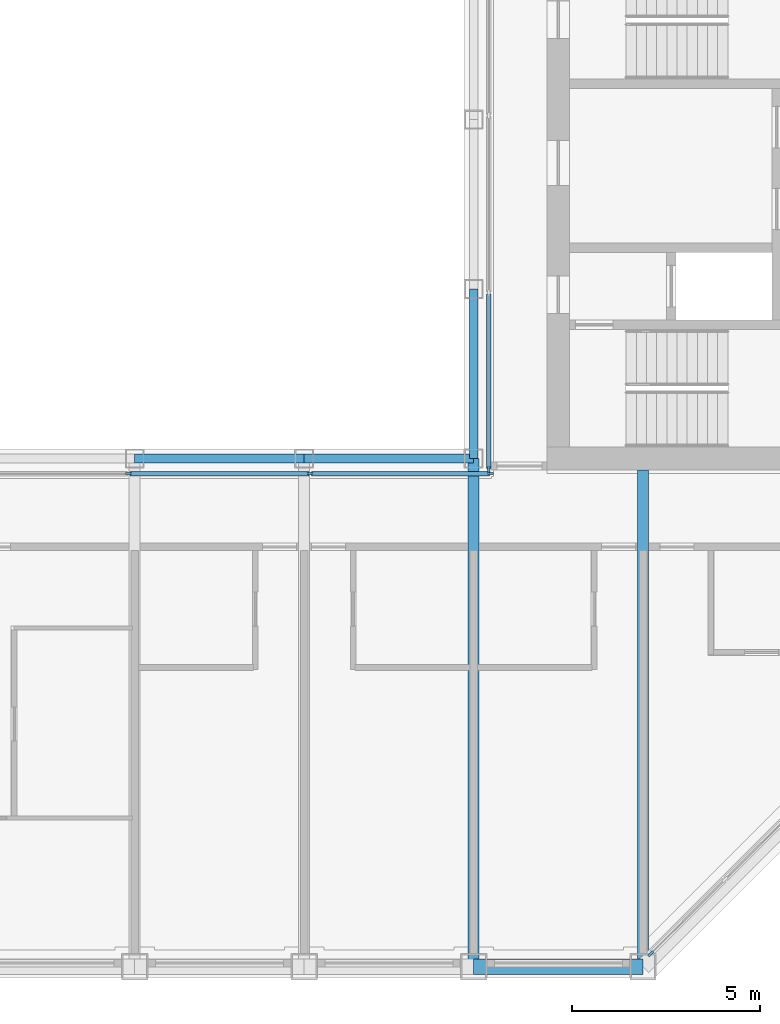
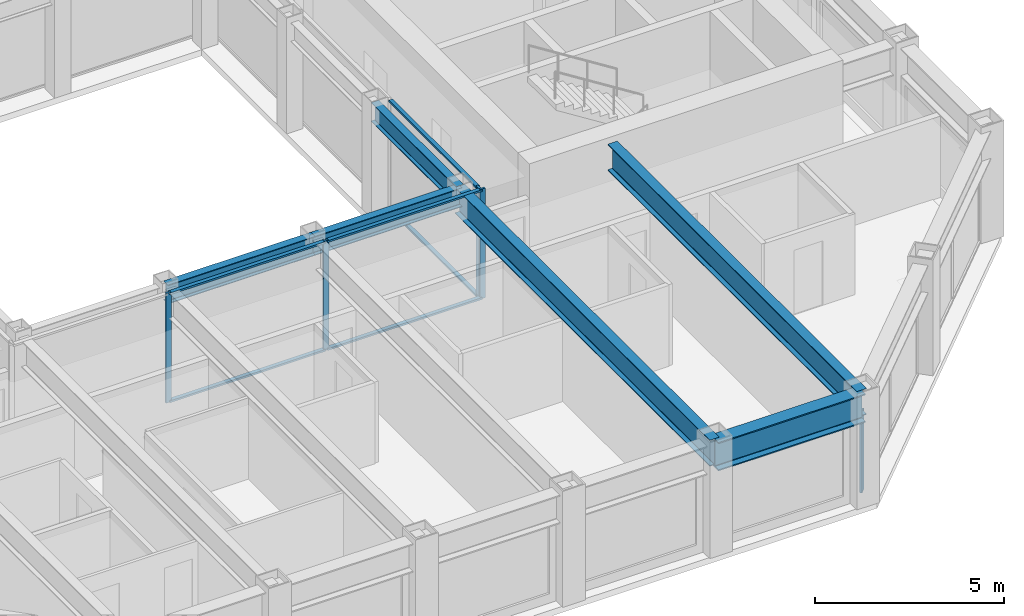
# One storey, part 3 of 18: 11 members, 6 beams, 3 elements without a shape of their own.
"""IFC4 building model written with IfcOpenShell, lengths in metres."""

from ifc_helpers import new_model, si_unit, direction, frame, origin, origin_2d, place, context, subcontext, project, spatial, rectangle, i_section, extrude, material, material_profile, profile_set, type_object, element, aggregate, save


model = new_model("IFC4")

# Units and contexts
model_context = context("Model", 3, precision=1e-05, world=origin(), true_north=direction((0.0, 1.0)))
body_context = subcontext(model_context, "Body", "Model", "MODEL_VIEW")
ifc_project = project(units=[si_unit("LENGTHUNIT", "METRE"), si_unit("AREAUNIT", "SQUARE_METRE"), si_unit("VOLUMEUNIT", "CUBIC_METRE"), si_unit("PLANEANGLEUNIT", "RADIAN"), si_unit("MASSUNIT", "GRAM", prefix="KILO")], contexts=[model_context])

# Site, building, storey
site_placement = place(None, origin())
site = spatial("IfcSite", under=ifc_project, at=site_placement, CompositionType="ELEMENT")
building_placement = place(site_placement, origin())
building = spatial("IfcBuilding", under=site, at=building_placement, Name="Msasa Ring Tower", CompositionType="ELEMENT")
storey_placement = place(building_placement, frame((0.0, 0.0, 223.300048828125)))
storey = spatial("IfcBuildingStorey", under=building, at=storey_placement, Name="L58", CompositionType="ELEMENT", Elevation=223.300048828125)

# Curtain wall, member
ifc_material_1 = material(Name="Aluminium curtain wall with clear glass", Category="aluminium")
curtain_wall_type_1 = type_object("IfcCurtainWallType", Name="CW-C CHAMFER CORNER CURTAIN WALL", PredefinedType="NOTDEFINED", material=ifc_material_1)
curtain_wall_1_placement = place(storey_placement, origin())
curtain_wall_1 = element("IfcCurtainWall", 1, at=curtain_wall_1_placement, inside=storey, type_object=curtain_wall_type_1, Name="Chamfer corner curtain wall SE L58", PredefinedType="NOTDEFINED")
ifc_material_2 = material(Name="Aluminium mullion", Category="aluminium")
ifc_material_profile_1 = material_profile(ifc_material_2, rectangle(XDim=0.06494140625, YDim=0.179931640625, at=origin_2d()), Name="AL 65x180")
ifc_profile_set_1 = profile_set([ifc_material_profile_1], Name="Aluminium mullion")
member_type_1 = type_object("IfcMemberType", Name="CW-C MULLION 65x180", PredefinedType="MULLION", material=ifc_profile_set_1)
member_1_placement = place(storey_placement, frame((11.453369140625, -19.9052734375, 0.0), z_axis=(0.0, 0.0, 1.0), x_axis=(-0.707106781187, 0.707106781187, 0.0)))
member_1 = element("IfcMember", 2, at=member_1_placement, type_object=member_type_1, Name="CW-C mullion 1", PredefinedType="MULLION", context=body_context, shape_type="SweptSolid", body=[
    extrude(rectangle(XDim=0.06494140625, YDim=0.179931640625, at=origin_2d()), origin(), (0.0, 0.0, 1.0), 2.62890625),
])
aggregate(curtain_wall_1, [member_1])

# Curtain wall, members
ifc_material_3 = material(Name="Aluminium curtain wall with clear glass", Category="aluminium")
curtain_wall_type_2 = type_object("IfcCurtainWallType", Name="CW-W LIGHT WELL CURTAIN WALL", PredefinedType="NOTDEFINED", material=ifc_material_3)
curtain_wall_2_placement = place(storey_placement, origin())
curtain_wall_2 = element("IfcCurtainWall", 3, at=curtain_wall_2_placement, inside=storey, type_object=curtain_wall_type_2, Name="Light well curtain wall S L58", PredefinedType="NOTDEFINED")
ifc_material_4 = material(Name="Aluminium mullion", Category="aluminium")
ifc_material_profile_2 = material_profile(ifc_material_4, rectangle(XDim=0.06005859375, YDim=0.159912109375, at=origin_2d()), Name="AL 60x160")
ifc_profile_set_2 = profile_set([ifc_material_profile_2], Name="Aluminium mullion")
member_type_2 = type_object("IfcMemberType", Name="CW-W MULLION 60x160", PredefinedType="MULLION", material=ifc_profile_set_2)
member_2_placement = place(storey_placement, frame((-2.409912109375, -7.14990234375, 0.0), z_axis=(0.0, 0.0, 1.0), x_axis=(0.0, 1.0, 0.0)))
member_2 = element("IfcMember", 4, at=member_2_placement, type_object=member_type_2, Name="CW-W mullion 2", PredefinedType="MULLION", context=body_context, shape_type="SweptSolid", body=[
    extrude(rectangle(XDim=0.06005859375, YDim=0.159912109375, at=origin_2d()), origin(), (0.0, 0.0, 1.0), 3.550048828125),
])
member_3_placement = place(storey_placement, frame((2.409912109375, -7.14990234375, 0.0), z_axis=(0.0, 0.0, 1.0), x_axis=(0.0, 1.0, 0.0)))
member_3 = element("IfcMember", 5, at=member_3_placement, type_object=member_type_2, Name="CW-W mullion 3", PredefinedType="MULLION", context=body_context, shape_type="SweptSolid", body=[
    extrude(rectangle(XDim=0.06005859375, YDim=0.159912109375, at=origin_2d()), origin(), (0.0, 0.0, 1.0), 3.550048828125),
])
member_4_placement = place(storey_placement, frame((7.199951171875, -7.14990234375, 0.0), z_axis=(0.0, 0.0, 1.0), x_axis=(0.0, 1.0, 0.0)))
member_4 = element("IfcMember", 6, at=member_4_placement, type_object=member_type_2, Name="CW-W mullion 4", PredefinedType="MULLION", context=body_context, shape_type="SweptSolid", body=[
    extrude(rectangle(XDim=0.06005859375, YDim=0.159912109375, at=origin_2d()), origin(), (0.0, 0.0, 1.0), 3.550048828125),
])

# Curtain wall, member
curtain_wall_3_placement = place(storey_placement, origin())
curtain_wall_3 = element("IfcCurtainWall", 7, at=curtain_wall_3_placement, inside=storey, type_object=curtain_wall_type_2, Name="Light well curtain wall E L58", PredefinedType="NOTDEFINED")
member_5_placement = place(storey_placement, frame((7.14990234375, -7.0400390625, 0.0), z_axis=(0.0, 0.0, 1.0), x_axis=(-1.0, 0.0, 0.0)))
member_5 = element("IfcMember", 8, at=member_5_placement, type_object=member_type_2, Name="CW-W mullion 1", PredefinedType="MULLION", context=body_context, shape_type="SweptSolid", body=[
    extrude(rectangle(XDim=0.06005859375, YDim=0.159912109375, at=origin_2d()), origin(), (0.0, 0.0, 1.0), 3.550048828125),
])

# Member
ifc_material_5 = material(Name="Aluminium transom", Category="aluminium")
ifc_material_profile_3 = material_profile(ifc_material_5, rectangle(XDim=0.1201171875, YDim=0.06005859375, at=origin_2d()), Name="AL 60x120")
ifc_profile_set_3 = profile_set([ifc_material_profile_3], Name="Aluminium transom")
member_type_3 = type_object("IfcMemberType", Name="CW-W TRANSOM 60x120", PredefinedType="USERDEFINED", material=ifc_profile_set_3)
member_6_placement = place(storey_placement, frame((-2.3798828125, -7.14990234375, 0.030029296875), z_axis=(1.0, 0.0, 0.0), x_axis=(0.0, 1.0, 0.0)))
member_6 = element("IfcMember", 9, at=member_6_placement, type_object=member_type_3, Name="CW-W transom 2.1", ObjectType="TRANSOM", PredefinedType="USERDEFINED", context=body_context, shape_type="SweptSolid", body=[
    extrude(rectangle(XDim=0.1201171875, YDim=0.06005859375, at=origin_2d()), origin(), (0.0, 0.0, 1.0), 4.759765625),
])

member_7_placement = place(storey_placement, frame((-2.3798828125, -7.14990234375, 3.52001953125), z_axis=(1.0, 0.0, 0.0), x_axis=(0.0, 1.0, 0.0)))
member_7 = element("IfcMember", 10, at=member_7_placement, type_object=member_type_3, Name="CW-W transom 2.2", ObjectType="TRANSOM", PredefinedType="USERDEFINED", context=body_context, shape_type="SweptSolid", body=[
    extrude(rectangle(XDim=0.1201171875, YDim=0.06005859375, at=origin_2d()), origin(), (0.0, 0.0, 1.0), 4.759765625),
])

member_8_placement = place(storey_placement, frame((2.43994140625, -7.14990234375, 0.030029296875), z_axis=(1.0, 0.0, 0.0), x_axis=(0.0, 1.0, 0.0)))
member_8 = element("IfcMember", 11, at=member_8_placement, type_object=member_type_3, Name="CW-W transom 3.1", ObjectType="TRANSOM", PredefinedType="USERDEFINED", context=body_context, shape_type="SweptSolid", body=[
    extrude(rectangle(XDim=0.1201171875, YDim=0.06005859375, at=origin_2d()), origin(), (0.0, 0.0, 1.0), 4.72998046875),
])

member_9_placement = place(storey_placement, frame((2.43994140625, -7.14990234375, 3.52001953125), z_axis=(1.0, 0.0, 0.0), x_axis=(0.0, 1.0, 0.0)))
member_9 = element("IfcMember", 12, at=member_9_placement, type_object=member_type_3, Name="CW-W transom 3.2", ObjectType="TRANSOM", PredefinedType="USERDEFINED", context=body_context, shape_type="SweptSolid", body=[
    extrude(rectangle(XDim=0.1201171875, YDim=0.06005859375, at=origin_2d()), origin(), (0.0, 0.0, 1.0), 4.72998046875),
])

aggregate(curtain_wall_2, [member_2, member_3, member_4, member_6, member_7, member_8, member_9])

member_10_placement = place(storey_placement, frame((7.14990234375, -7.010009765625, 0.030029296875), z_axis=(0.0, 1.0, 0.0), x_axis=(-1.0, 0.0, 0.0)))
member_10 = element("IfcMember", 13, at=member_10_placement, type_object=member_type_3, Name="CW-W transom 1.1", ObjectType="TRANSOM", PredefinedType="USERDEFINED", context=body_context, shape_type="SweptSolid", body=[
    extrude(rectangle(XDim=0.1201171875, YDim=0.06005859375, at=origin_2d()), origin(), (0.0, 0.0, 1.0), 4.623291015625),
])

member_11_placement = place(storey_placement, frame((7.14990234375, -7.010009765625, 3.52001953125), z_axis=(0.0, 1.0, 0.0), x_axis=(-1.0, 0.0, 0.0)))
member_11 = element("IfcMember", 14, at=member_11_placement, type_object=member_type_3, Name="CW-W transom 1.2", ObjectType="TRANSOM", PredefinedType="USERDEFINED", context=body_context, shape_type="SweptSolid", body=[
    extrude(rectangle(XDim=0.1201171875, YDim=0.06005859375, at=origin_2d()), origin(), (0.0, 0.0, 1.0), 4.623291015625),
])

aggregate(curtain_wall_3, [member_5, member_10, member_11])

# Beams
ifc_material_6 = material(Name="Steel S355", Category="steel")
ifc_material_profile_4 = material_profile(ifc_material_6, i_section(OverallWidth=0.293701171875, OverallDepth=0.850830078125, WebThickness=0.01611328125, FlangeThickness=0.02685546875, FilletRadius=0.017822265625, at=origin_2d()), Name="UB 838x292x226")
ifc_profile_set_4 = profile_set([ifc_material_profile_4], Name="Steel S355")
beam_type_1 = type_object("IfcBeamType", Name="FB5 UB 838x292x226", PredefinedType="BEAM", material=ifc_profile_set_4)
beam_1_placement = place(storey_placement, frame((6.75, -20.25, 3.12451171875), z_axis=(0.0, 1.0, 0.0), x_axis=(-1.0, 0.0, 0.0)))
element("IfcBeam", 15, at=beam_1_placement, inside=storey, type_object=beam_type_1, Name="Floor beam S+6.75 under L59", PredefinedType="BEAM", context=body_context, shape_type="SweptSolid", body=[
    extrude(i_section(OverallWidth=0.293701171875, OverallDepth=0.850830078125, WebThickness=0.01611328125, FlangeThickness=0.02685546875, FilletRadius=0.017822265625, at=origin_2d()), origin(), (0.0, 0.0, 1.0), 13.5),
])
beam_2_placement = place(storey_placement, frame((11.25, -20.25, 3.12451171875), z_axis=(0.0, 1.0, 0.0), x_axis=(-1.0, 0.0, 0.0)))
element("IfcBeam", 16, at=beam_2_placement, inside=storey, type_object=beam_type_1, Name="Floor beam S+11.25 under L59", PredefinedType="BEAM", context=body_context, shape_type="SweptSolid", body=[
    extrude(i_section(OverallWidth=0.293701171875, OverallDepth=0.850830078125, WebThickness=0.01611328125, FlangeThickness=0.02685546875, FilletRadius=0.017822265625, at=origin_2d()), origin(), (0.0, 0.0, 1.0), 13.199951171875),
])
ifc_material_7 = material(Name="Steel S355", Category="steel")
ifc_material_profile_5 = material_profile(ifc_material_7, i_section(OverallWidth=0.230224609375, OverallDepth=0.6171875, WebThickness=0.01318359375, FlangeThickness=0.022216796875, FilletRadius=0.0126953125, at=origin_2d()), Name="UB 610x229x140")
ifc_profile_set_5 = profile_set([ifc_material_profile_5], Name="Steel S355")
beam_type_2 = type_object("IfcBeamType", Name="RB1 UB 610x229x140", PredefinedType="BEAM", material=ifc_profile_set_5)
for number, where, z_axis, x_axis, name in (
    (17, (-2.25, -6.75, 3.241455078125), (1.0, 0.0, 0.0), (0.0, 1.0, 0.0), "Inner ring beam IR-2.25-6.75 under L59"),
    (18, (2.25, -6.75, 3.241455078125), (1.0, 0.0, 0.0), (0.0, 1.0, 0.0), "Inner ring beam IR+2.25-6.75 under L59"),
    (19, (6.75, -6.75, 3.241455078125), (0.0, 1.0, 0.0), (-1.0, 0.0, 0.0), "Inner ring beam IR+6.75-6.75 under L59"),
):
    element("IfcBeam", number, at=place(storey_placement, frame(where, z_axis=z_axis, x_axis=x_axis)), inside=storey, type_object=beam_type_2, Name=name, PredefinedType="BEAM", context=body_context, shape_type="SweptSolid", body=[
        extrude(i_section(OverallWidth=0.230224609375, OverallDepth=0.6171875, WebThickness=0.01318359375, FlangeThickness=0.022216796875, FilletRadius=0.0126953125, at=origin_2d()), origin(), (0.0, 0.0, 1.0), 4.5),
    ])
ifc_material_8 = material(Name="Steel S355", Category="steel")
ifc_material_profile_6 = material_profile(ifc_material_8, i_section(OverallWidth=0.42041015625, OverallDepth=0.9208984375, WebThickness=0.021484375, FlangeThickness=0.03662109375, FilletRadius=0.024169921875, at=origin_2d()), Name="UB 914x419x388")
ifc_profile_set_6 = profile_set([ifc_material_profile_6], Name="Steel S355")
beam_type_3 = type_object("IfcBeamType", Name="SB1 UB 914x419x388", PredefinedType="SPANDREL", material=ifc_profile_set_6)
beam_3_placement = place(storey_placement, frame((6.75, -20.25, 3.08935546875), z_axis=(1.0, 0.0, 0.0), x_axis=(0.0, 1.0, 0.0)))
element("IfcBeam", 20, at=beam_3_placement, inside=storey, type_object=beam_type_3, Name="Spandrel S+6.75 to S+11.25 under L59", PredefinedType="SPANDREL", context=body_context, shape_type="SweptSolid", body=[
    extrude(i_section(OverallWidth=0.42041015625, OverallDepth=0.9208984375, WebThickness=0.021484375, FlangeThickness=0.03662109375, FilletRadius=0.024169921875, at=origin_2d()), origin(), (0.0, 0.0, 1.0), 4.5),
])

save(model, "model.ifc")
